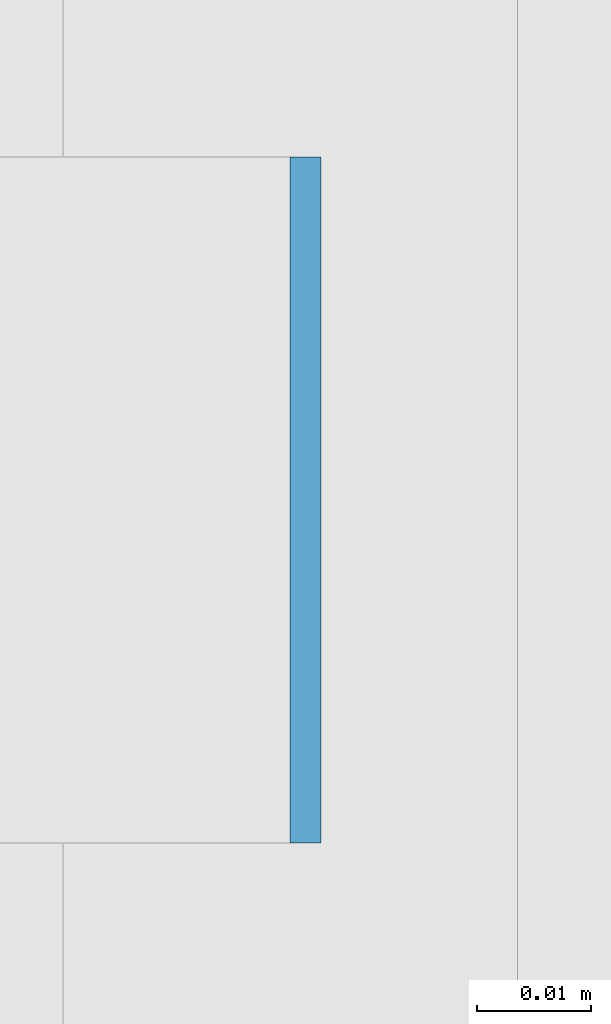
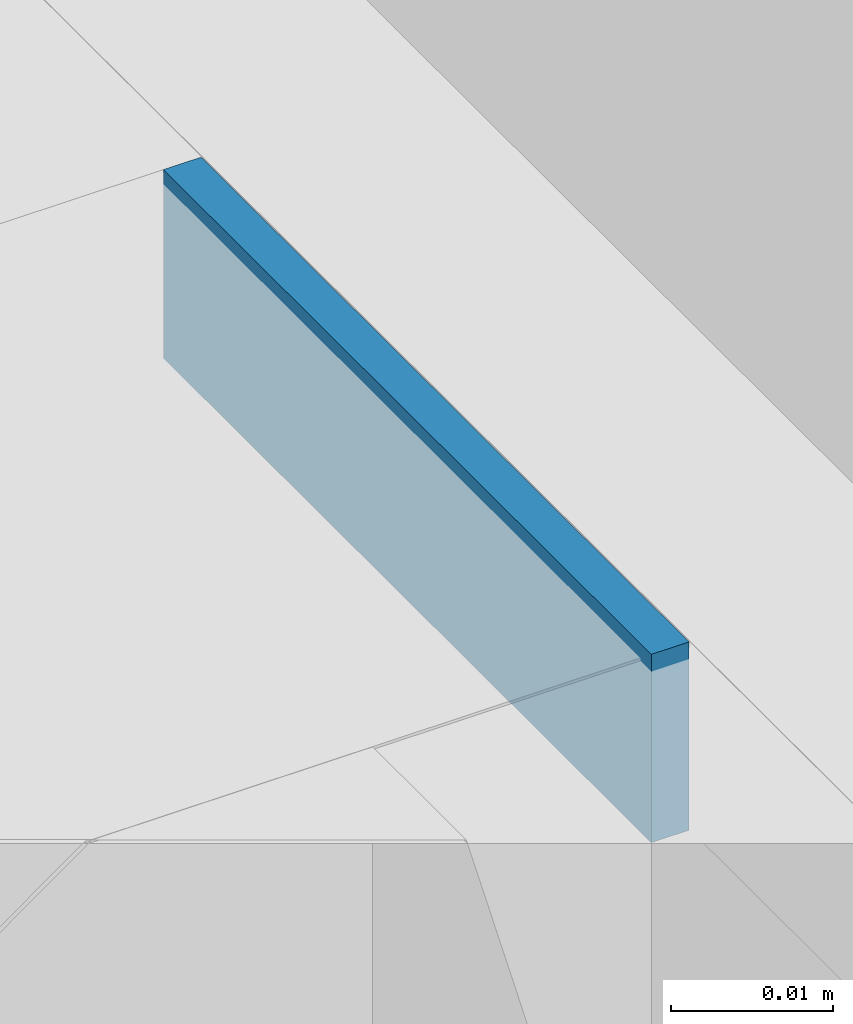
# One storey, part 373 of 646: 1 discrete accessory.
"""IFC4 building model written with IfcOpenShell, lengths in metres."""

from ifc_helpers import new_model, si_unit, direction, frame, origin, origin_2d, place, context, subcontext, project, spatial, rectangle, extrude, material, type_object, element, save


model = new_model("IFC4")

# Units and contexts
model_context = context("Model", 3, precision=1e-05, world=origin(), true_north=direction((0.0, 1.0)))
body_context = subcontext(model_context, "Body", "Model", "MODEL_VIEW")
ifc_project = project(units=[si_unit("LENGTHUNIT", "METRE"), si_unit("AREAUNIT", "SQUARE_METRE"), si_unit("VOLUMEUNIT", "CUBIC_METRE"), si_unit("PLANEANGLEUNIT", "RADIAN"), si_unit("MASSUNIT", "GRAM", prefix="KILO")], contexts=[model_context])

# Site, building, storey
site_placement = place(None, origin())
site = spatial("IfcSite", under=ifc_project, at=site_placement, CompositionType="ELEMENT")
building_placement = place(site_placement, origin())
building = spatial("IfcBuilding", under=site, at=building_placement, Name="Silverbay Arena", CompositionType="ELEMENT")
storey_placement = place(building_placement, frame((0.0, 0.0, 33.5)))
storey = spatial("IfcBuildingStorey", under=building, at=storey_placement, Name="L05", CompositionType="ELEMENT", Elevation=33.5)

# Discrete accessory
ifc_material = material(Name="Steel S355", Category="steel")
discrete_accessory_type = type_object("IfcDiscreteAccessoryType", Name="Steel bracket plate", PredefinedType="BRACKET", material=ifc_material)
discrete_accessory_placement = place(storey_placement, frame((53.871337890625, 104.142822265625, 12.98583984375), z_axis=(0.0, 0.0, 1.0), x_axis=(1.0, 0.0, 0.0)))
element("IfcDiscreteAccessory", 1, at=discrete_accessory_placement, inside=storey, type_object=discrete_accessory_type, Name="Curtain wall packing plate", PredefinedType="BRACKET", context=body_context, shape_type="SweptSolid", body=[
    extrude(rectangle(XDim=0.002685546875, YDim=0.06005859375, at=origin_2d()), origin(), (0.0, 0.0, 1.0), 0.01416015625),
])

save(model, "model.ifc")
